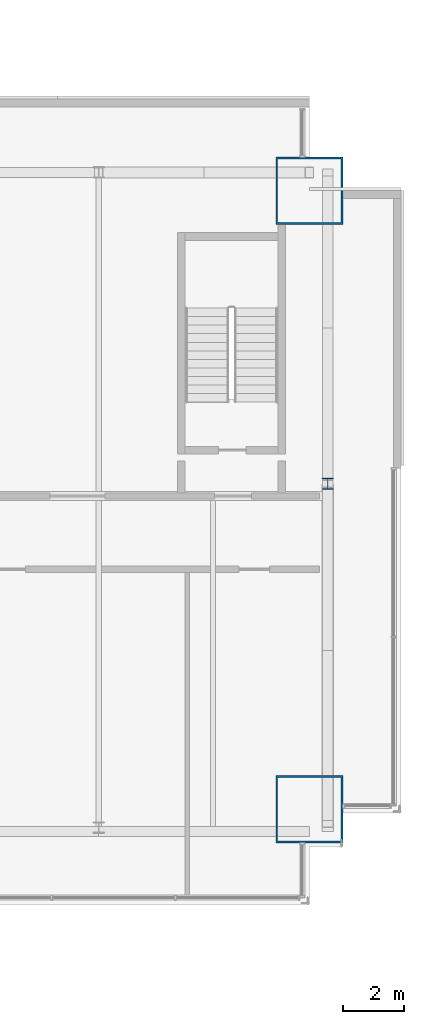
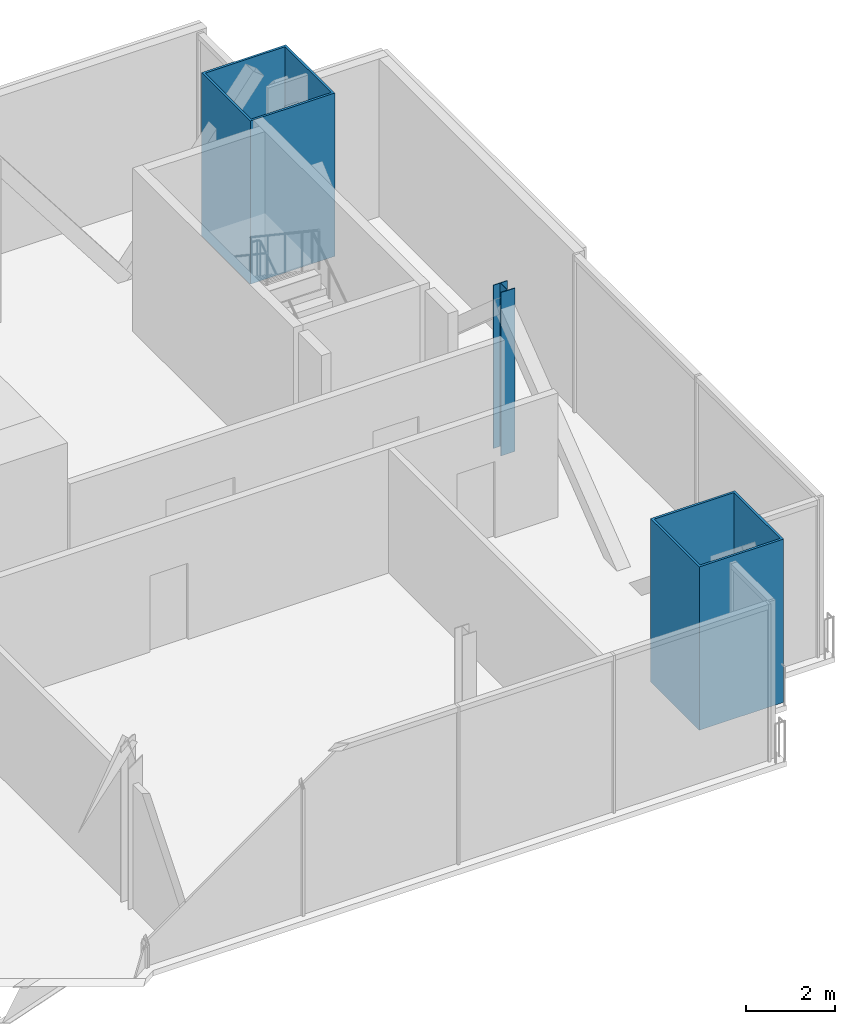
# One storey, part 4 of 18: 3 columns.
"""IFC4 building model written with IfcOpenShell, lengths in metres."""

from ifc_helpers import new_model, si_unit, direction, frame, origin, origin_2d, place, context, subcontext, project, spatial, hollow_rectangle, i_section, extrude, material, material_profile, profile_set, type_object, element, save


model = new_model("IFC4")

# Units and contexts
model_context = context("Model", 3, precision=1e-05, world=origin(), true_north=direction((0.0, 1.0)))
body_context = subcontext(model_context, "Body", "Model", "MODEL_VIEW")
ifc_project = project(units=[si_unit("LENGTHUNIT", "METRE"), si_unit("AREAUNIT", "SQUARE_METRE"), si_unit("VOLUMEUNIT", "CUBIC_METRE"), si_unit("PLANEANGLEUNIT", "RADIAN"), si_unit("MASSUNIT", "GRAM", prefix="KILO")], contexts=[model_context])

# Site, building, storey
site_placement = place(None, origin())
site = spatial("IfcSite", under=ifc_project, at=site_placement, CompositionType="ELEMENT")
building_placement = place(site_placement, origin())
building = spatial("IfcBuilding", under=site, at=building_placement, Name="Bicima Exchange Tower", CompositionType="ELEMENT")
storey_placement = place(building_placement, frame((0.0, 0.0, 311.0)))
storey = spatial("IfcBuildingStorey", under=building, at=storey_placement, Name="L70", CompositionType="ELEMENT", Elevation=311.0)

# Columns
ifc_material_1 = material(Name="Steel ASTM A572 Gr 50", Category="steel")
ifc_material_profile_1 = material_profile(ifc_material_1, hollow_rectangle(XDim=2.199951171875, YDim=2.199951171875, WallThickness=0.06005859375, at=origin_2d()))
ifc_profile_set_1 = profile_set([ifc_material_profile_1], Name="Steel ASTM A572 Gr 50")
column_type_1 = type_object("IfcColumnType", Name="Mega column BOX 2200x2200x60", PredefinedType="COLUMN", material=ifc_profile_set_1)
for number, where, z_axis, x_axis, name in (
    (1, (33.0, -23.261962890625, 0.0), (0.0, 0.0, 1.0), (1.0, 0.0, 0.0), "Mega column mega+33.0f"),
    (2, (33.0, -3.0, 0.0), (0.0, 0.0, 1.0), (1.0, 0.0, 0.0), "Mega column mega+33.0r"),
):
    element("IfcColumn", number, at=place(storey_placement, frame(where, z_axis=z_axis, x_axis=x_axis)), inside=storey, type_object=column_type_1, Name=name, PredefinedType="COLUMN", context=body_context, shape_type="SweptSolid", body=[
        extrude(hollow_rectangle(XDim=2.199951171875, YDim=2.199951171875, WallThickness=0.06005859375, at=origin_2d()), origin(), (0.0, 0.0, 1.0), 4.5),
    ])
ifc_material_2 = material(Name="Steel ASTM A992 Gr 50", Category="steel")
ifc_material_profile_2 = material_profile(ifc_material_2, i_section(OverallWidth=0.368408203125, OverallDepth=0.355712890625, WebThickness=0.01123046875, FlangeThickness=0.01806640625, at=origin_2d()))
ifc_profile_set_2 = profile_set([ifc_material_profile_2], Name="Steel ASTM A992 Gr 50")
column_type_2 = type_object("IfcColumnType", Name="Perimeter column W14x90", PredefinedType="COLUMN", material=ifc_profile_set_2)
column_placement = place(storey_placement, frame((33.60009765625, -12.60009765625, 0.0), z_axis=(0.0, 0.0, 1.0), x_axis=(1.0, 0.0, 0.0)))
element("IfcColumn", 3, at=column_placement, inside=storey, type_object=column_type_2, Name="End column end+33.6e", PredefinedType="COLUMN", context=body_context, shape_type="SweptSolid", body=[
    extrude(i_section(OverallWidth=0.368408203125, OverallDepth=0.355712890625, WebThickness=0.01123046875, FlangeThickness=0.01806640625, at=origin_2d()), origin(), (0.0, 0.0, 1.0), 4.5),
])

save(model, "model.ifc")
